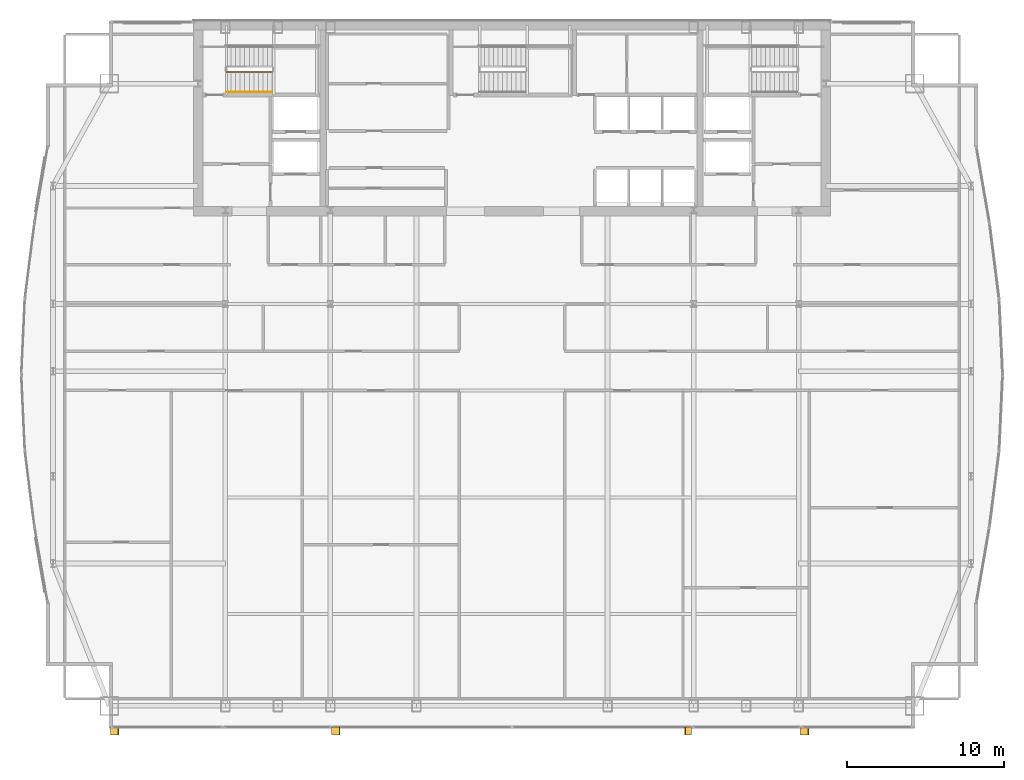
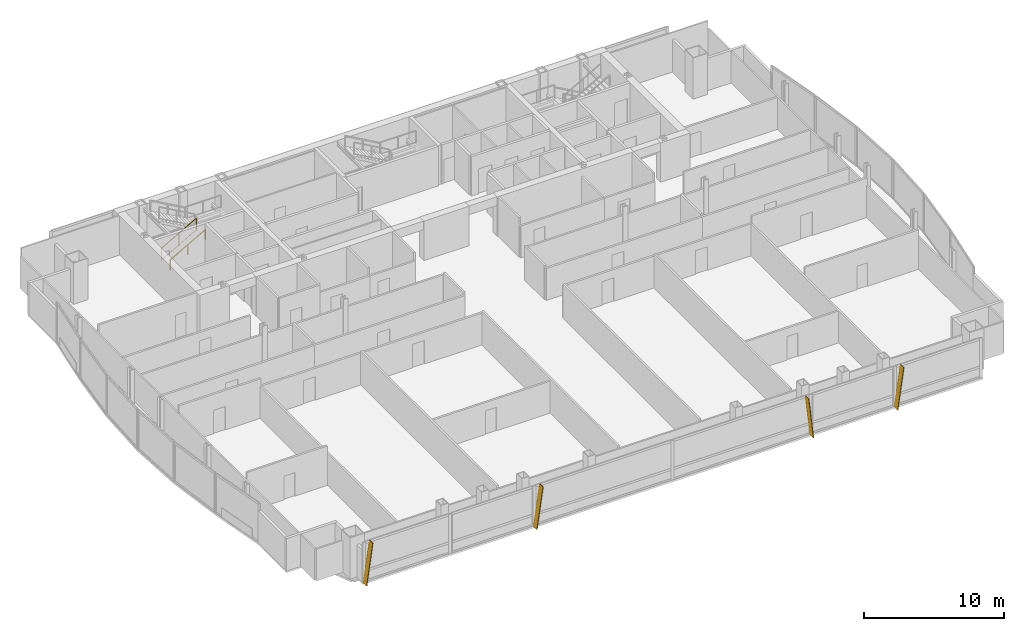
# One storey, part 29 of 30: 4 shading devices, 2 railings.
"""IFC4 building model written with IfcOpenShell, lengths in metres."""

from ifc_helpers import new_model, si_unit, direction, frame, origin, origin_2d, place, context, subcontext, project, spatial, polyline, rectangle, outline, extrude, material, layer, layer_set, type_object, element, save


model = new_model("IFC4")

# Units and contexts
model_context = context("Model", 3, precision=1e-05, world=origin(), true_north=direction((0.0, 1.0)))
body_context = subcontext(model_context, "Body", "Model", "MODEL_VIEW")
ifc_project = project(units=[si_unit("LENGTHUNIT", "METRE"), si_unit("AREAUNIT", "SQUARE_METRE"), si_unit("VOLUMEUNIT", "CUBIC_METRE"), si_unit("PLANEANGLEUNIT", "RADIAN"), si_unit("MASSUNIT", "GRAM", prefix="KILO")], contexts=[model_context])

# Site, building, storey
site_placement = place(None, origin())
site = spatial("IfcSite", under=ifc_project, at=site_placement, CompositionType="ELEMENT")
building_placement = place(site_placement, origin())
building = spatial("IfcBuilding", under=site, at=building_placement, Name="Khoronbel Lancet Exchange", CompositionType="ELEMENT")
storey_placement = place(building_placement, frame((0.0, 0.0, 224.60009765625)))
storey = spatial("IfcBuildingStorey", under=building, at=storey_placement, Name="L57", CompositionType="ELEMENT", Elevation=224.60009765625)

# Railings
ifc_material_1 = material(Name="Painted Steel Balustrade", Category="steel")
railing_type_1 = type_object("IfcRailingType", Name="RL-STG110", PredefinedType="GUARDRAIL", material=ifc_material_1)
railing_1_placement = place(storey_placement, frame((18.300048828125, 50.449951171875, 0.16357421875)))
element("IfcRailing", 1, at=railing_1_placement, inside=storey, type_object=railing_type_1, Name="L57 ST1 stair guard 1", PredefinedType="GUARDRAIL", context=body_context, shape_type="SweptSolid", body=[
    extrude(rectangle(XDim=0.048095703125, YDim=0.048095703125, at=origin_2d()), frame((0.0, 0.0, 1.09619140625), z_axis=(0.870928581787, 0.0, 0.491409610636), x_axis=(0.0, 1.0, 0.0)), (0.0, 0.0, 1.0), 3.32958984375),
    extrude(rectangle(XDim=0.02392578125, YDim=0.02392578125, at=origin_2d()), frame((0.0, 0.0, 0.080078125), z_axis=(0.870928581787, 0.0, 0.491409610636), x_axis=(0.0, 1.0, 0.0)), (0.0, 0.0, 1.0), 3.32958984375),
    extrude(rectangle(XDim=0.0419921875, YDim=0.0419921875, at=origin_2d()), origin(), (0.0, 0.0, 1.0), 1.072021484375),
    extrude(rectangle(XDim=0.0419921875, YDim=0.0419921875, at=origin_2d()), frame((1.449951171875, 0.0, 0.818115234375)), (0.0, 0.0, 1.0), 1.072021484375),
    extrude(rectangle(XDim=0.0419921875, YDim=0.0419921875, at=origin_2d()), frame((2.89990234375, 0.0, 1.63623046875)), (0.0, 0.0, 1.0), 1.072021484375),
])
ifc_material_2 = material(Name="Brushed Stainless Steel 316", Category="steel")
railing_type_2 = type_object("IfcRailingType", Name="RL-STH92", PredefinedType="HANDRAIL", material=ifc_material_2)
railing_2_placement = place(storey_placement, frame((18.300048828125, 49.169921875, 0.16357421875)))
element("IfcRailing", 2, at=railing_2_placement, inside=storey, type_object=railing_type_2, Name="L57 ST1 stair handrail 1", PredefinedType="HANDRAIL", context=body_context, shape_type="SweptSolid", body=[
    extrude(rectangle(XDim=0.048095703125, YDim=0.048095703125, at=origin_2d()), frame((0.0, 0.0, 0.8759765625), z_axis=(0.870928581787, 0.0, 0.491409610636), x_axis=(0.0, 1.0, 0.0)), (0.0, 0.0, 1.0), 3.32958984375),
    extrude(rectangle(XDim=0.0419921875, YDim=0.0419921875, at=origin_2d()), origin(), (0.0, 0.0, 1.0), 0.851806640625),
    extrude(rectangle(XDim=0.0419921875, YDim=0.0419921875, at=origin_2d()), frame((1.449951171875, 0.0, 0.818115234375)), (0.0, 0.0, 1.0), 0.851806640625),
    extrude(rectangle(XDim=0.0419921875, YDim=0.0419921875, at=origin_2d()), frame((2.89990234375, 0.0, 1.63623046875)), (0.0, 0.0, 1.0), 0.851806640625),
])

# Shading devices
ifc_material_3 = material(Name="Bronze-Anodised Aluminium 6063-T6", Category="aluminium")
ifc_layer = layer(ifc_material_3, 0.054931640625, Name="Bronze-Anodised Aluminium 6063-T6")
ifc_layer_set = layer_set([ifc_layer], Name="Bronze-Anodised Aluminium 6063-T6")
shading_device_type = type_object("IfcShadingDeviceType", Name="SHD-FIN1", PredefinedType="USERDEFINED", material=ifc_layer_set)
for number, where, z_axis, x_axis, name in (
    (3, (10.91259765625, 8.81005859375, -0.080078125), (-0.990092925251, 0.0, 0.140413672296), (0.0, -1.0, 0.0), "Slanted bronze solar fin CW-L57-SWV-0"),
    (4, (24.972412109375, 8.81005859375, -0.080078125), (-0.990083483708, 0.0, 0.140480230955), (0.0, -1.0, 0.0), "Slanted bronze solar fin CW-L57-SCV-0"),
):
    element("IfcShadingDevice", number, at=place(storey_placement, frame(where, z_axis=z_axis, x_axis=x_axis)), inside=storey, type_object=shading_device_type, Name=name, ObjectType="FIN", PredefinedType="USERDEFINED", context=body_context, shape_type="SweptSolid", body=[
        extrude(outline(polyline([(0.0, 0.0), (0.52001953125, 0.0), (0.52001953125, 3.595703125), (0.0, 3.595703125), (0.0, 0.0)])), origin(), (0.0, 0.0, -1.0), 0.054931640625),
    ])
shading_device_1_placement = place(storey_placement, frame((47.87255859375, 8.81005859375, -0.080078125), z_axis=(0.993900347655, 0.0, 0.110281906632), x_axis=(0.0, -1.0, 0.0)))
element("IfcShadingDevice", 5, at=shading_device_1_placement, inside=storey, type_object=shading_device_type, Name="Slanted bronze solar fin CW-L57-SCV-2", ObjectType="FIN", PredefinedType="USERDEFINED", context=body_context, shape_type="SweptSolid", body=[
    extrude(outline(polyline([(0.0, 0.0), (0.52001953125, 0.0), (0.52001953125, -3.581787109375), (0.0, -3.581787109375), (0.0, 0.0)])), origin(), (0.0, 0.0, -1.0), 0.054931640625),
])
shading_device_2_placement = place(storey_placement, frame((54.7724609375, 8.81005859375, -0.080078125), z_axis=(-0.990083483708, 0.0, 0.140480230955), x_axis=(0.0, -1.0, 0.0)))
element("IfcShadingDevice", 6, at=shading_device_2_placement, inside=storey, type_object=shading_device_type, Name="Slanted bronze solar fin CW-L57-SEV-0", ObjectType="FIN", PredefinedType="USERDEFINED", context=body_context, shape_type="SweptSolid", body=[
    extrude(outline(polyline([(0.0, 0.0), (0.52001953125, 0.0), (0.52001953125, 3.595703125), (0.0, 3.595703125), (0.0, 0.0)])), origin(), (0.0, 0.0, -1.0), 0.054931640625),
])

save(model, "model.ifc")
